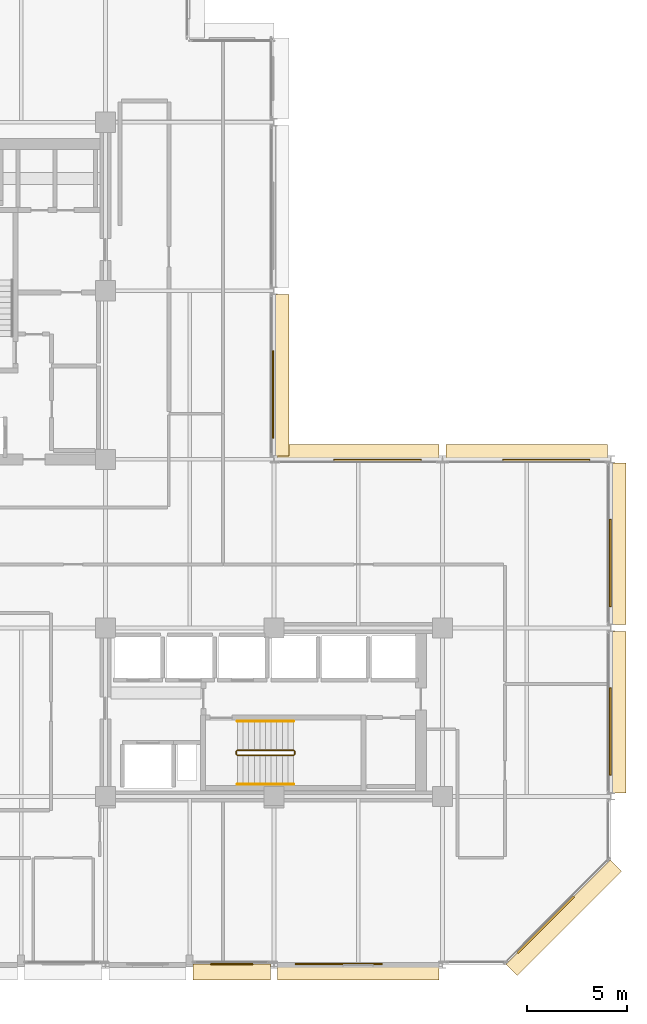
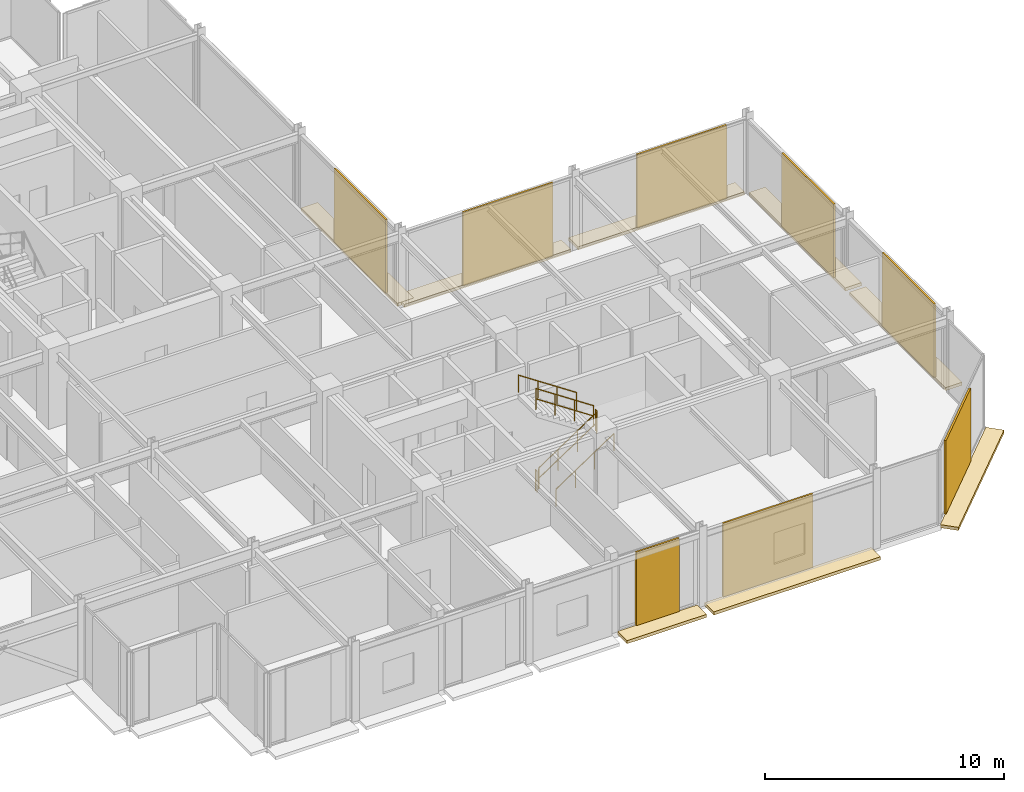
# One storey, part 29 of 30: 16 coverings, 6 railings.
"""IFC4 building model written with IfcOpenShell, lengths in metres."""

from ifc_helpers import new_model, si_unit, direction, frame, origin, origin_2d, place, context, subcontext, project, spatial, polyline, rectangle, circle, outline, extrude, material, layer, layer_set, type_object, element, save


model = new_model("IFC4")

# Units and contexts
model_context = context("Model", 3, precision=1e-05, world=origin(), true_north=direction((0.0, 1.0)))
body_context = subcontext(model_context, "Body", "Model", "MODEL_VIEW")
ifc_project = project(units=[si_unit("LENGTHUNIT", "METRE"), si_unit("AREAUNIT", "SQUARE_METRE"), si_unit("VOLUMEUNIT", "CUBIC_METRE"), si_unit("PLANEANGLEUNIT", "RADIAN"), si_unit("MASSUNIT", "GRAM", prefix="KILO")], contexts=[model_context])

# Site, building, storey
site_placement = place(None, origin())
site = spatial("IfcSite", under=ifc_project, at=site_placement, CompositionType="ELEMENT")
building_placement = place(site_placement, origin())
building = spatial("IfcBuilding", under=site, at=building_placement, Name="Nerrivon Quay Data Exchange", CompositionType="ELEMENT")
storey_placement = place(building_placement, frame((0.0, 0.0, 216.5)))
storey = spatial("IfcBuildingStorey", under=building, at=storey_placement, Name="L51", CompositionType="ELEMENT", Elevation=216.5)

# Coverings
ifc_material_1 = material(Name="Architectural terracotta ceramic", Category="masonry")
ifc_layer_1 = layer(ifc_material_1, 0.159912109375)
ifc_layer_set_1 = layer_set([ifc_layer_1], Name="Architectural terracotta ceramic")
covering_type_1 = type_object("IfcCoveringType", Name="COV-BLD-TERR", PredefinedType="CLADDING", material=ifc_layer_set_1)
covering_1_placement = place(storey_placement, frame((0.0, 0.0, -0.159912109375)))
element("IfcCovering", 1, at=covering_1_placement, inside=storey, type_object=covering_type_1, Name="L51 Horizontal Terracotta SOLAR SCREEN Blade", PredefinedType="CLADDING", context=body_context, shape_type="SweptSolid", body=[
    extrude(outline(polyline([(25.159912109375, 33.425048828125), (25.159912109375, 25.375), (25.949951171875, 25.375), (25.949951171875, 33.425048828125), (25.159912109375, 33.425048828125)])), origin(), (0.0, 0.0, 1.0), 0.159912109375),
])
covering_2_placement = place(storey_placement, frame((0.0, 0.0, -0.159912109375)))
element("IfcCovering", 2, at=covering_2_placement, inside=storey, type_object=covering_type_1, Name="L51 Horizontal Terracotta SOLAR SCREEN Blade", PredefinedType="CLADDING", context=body_context, shape_type="SweptSolid", body=[
    extrude(outline(polyline([(25.375, 25.159912109375), (33.425048828125, 25.159912109375), (33.425048828125, 25.949951171875), (25.375, 25.949951171875), (25.375, 25.159912109375)])), origin(), (0.0, 0.0, 1.0), 0.159912109375),
])
covering_3_placement = place(storey_placement, frame((0.0, 0.0, -0.159912109375)))
element("IfcCovering", 3, at=covering_3_placement, inside=storey, type_object=covering_type_1, Name="L51 Horizontal Terracotta SOLAR SCREEN Blade", PredefinedType="CLADDING", context=body_context, shape_type="SweptSolid", body=[
    extrude(outline(polyline([(33.77490234375, 25.159912109375), (41.824951171875, 25.159912109375), (41.824951171875, 25.949951171875), (33.77490234375, 25.949951171875), (33.77490234375, 25.159912109375)])), origin(), (0.0, 0.0, 1.0), 0.159912109375),
])
covering_4_placement = place(storey_placement, frame((0.0, 0.0, -0.159912109375)))
element("IfcCovering", 4, at=covering_4_placement, inside=storey, type_object=covering_type_1, Name="L51 Horizontal Terracotta SOLAR SCREEN Blade", PredefinedType="CLADDING", context=body_context, shape_type="SweptSolid", body=[
    extrude(outline(polyline([(41.9599609375, 25.02490234375), (41.9599609375, 16.97509765625), (42.75, 16.97509765625), (42.75, 25.02490234375), (41.9599609375, 25.02490234375)])), origin(), (0.0, 0.0, 1.0), 0.159912109375),
])
covering_5_placement = place(storey_placement, frame((0.0, 0.0, -0.159912109375)))
element("IfcCovering", 5, at=covering_5_placement, inside=storey, type_object=covering_type_1, Name="L51 Horizontal Terracotta SOLAR SCREEN Blade", PredefinedType="CLADDING", context=body_context, shape_type="SweptSolid", body=[
    extrude(outline(polyline([(41.9599609375, 16.625), (41.9599609375, 8.574951171875), (42.75, 8.574951171875), (42.75, 16.625), (41.9599609375, 16.625)])), origin(), (0.0, 0.0, 1.0), 0.159912109375),
])
covering_6_placement = place(storey_placement, frame((0.0, 0.0, -0.159912109375)))
element("IfcCovering", 6, at=covering_6_placement, inside=storey, type_object=covering_type_1, Name="L51 Horizontal Terracotta SOLAR SCREEN Blade", PredefinedType="CLADDING", context=body_context, shape_type="SweptSolid", body=[
    extrude(outline(polyline([(41.9716796875, 5.228271484375), (36.771728515625, 0.0283203125), (37.330322265625, -0.5302734375), (42.5302734375, 4.669677734375), (41.9716796875, 5.228271484375)])), origin(), (0.0, 0.0, 1.0), 0.159912109375),
])
covering_7_placement = place(storey_placement, frame((0.0, 0.0, -0.159912109375)))
element("IfcCovering", 7, at=covering_7_placement, inside=storey, type_object=covering_type_1, Name="L51 Horizontal Terracotta SOLAR SCREEN Blade", PredefinedType="CLADDING", context=body_context, shape_type="SweptSolid", body=[
    extrude(outline(polyline([(33.425048828125, 0.0400390625), (25.375, 0.0400390625), (25.375, -0.75), (33.425048828125, -0.75), (33.425048828125, 0.0400390625)])), origin(), (0.0, 0.0, 1.0), 0.159912109375),
])
covering_8_placement = place(storey_placement, frame((0.0, 0.0, -0.159912109375)))
element("IfcCovering", 8, at=covering_8_placement, inside=storey, type_object=covering_type_1, Name="L51 Horizontal Terracotta SOLAR SCREEN Blade", PredefinedType="CLADDING", context=body_context, shape_type="SweptSolid", body=[
    extrude(outline(polyline([(25.02490234375, 0.0400390625), (21.175048828125, 0.0400390625), (21.175048828125, -0.75), (25.02490234375, -0.75), (25.02490234375, 0.0400390625)])), origin(), (0.0, 0.0, 1.0), 0.159912109375),
])
ifc_layer_2 = layer(ifc_material_1, 0.090087890625)
ifc_layer_set_2 = layer_set([ifc_layer_2], Name="Architectural terracotta ceramic")
covering_type_2 = type_object("IfcCoveringType", Name="COV-SCR-TERR", PredefinedType="CLADDING", material=ifc_layer_set_2)
for number, where, z_axis, x_axis, name in (
    (9, (25.155029296875, 28.43408203125, 0.0), (0.0, 0.0, 1.0), (0.0, -1.0, 0.0), "L51 Perforated Terracotta SOLAR SCREEN Cassette"),
    (10, (30.365966796875, 25.155029296875, 0.0), (0.0, 0.0, 1.0), (1.0, 0.0, 0.0), "L51 Perforated Terracotta SOLAR SCREEN Cassette"),
    (11, (38.76611328125, 25.155029296875, 0.0), (0.0, 0.0, 1.0), (1.0, 0.0, 0.0), "L51 Perforated Terracotta SOLAR SCREEN Cassette"),
    (12, (41.955078125, 20.033935546875, 0.0), (0.0, 0.0, 1.0), (0.0, -1.0, 0.0), "L51 Perforated Terracotta SOLAR SCREEN Cassette"),
    (13, (41.955078125, 11.634033203125, 0.0), (0.0, 0.0, 1.0), (0.0, -1.0, 0.0), "L51 Perforated Terracotta SOLAR SCREEN Cassette"),
):
    element("IfcCovering", number, at=place(storey_placement, frame(where, z_axis=z_axis, x_axis=x_axis)), inside=storey, type_object=covering_type_2, Name=name, PredefinedType="CLADDING", context=body_context, shape_type="SweptSolid", body=[
        extrude(rectangle(XDim=4.346923828125, YDim=0.090087890625, at=origin_2d()), origin(), (0.0, 0.0, 1.0), 3.75),
    ])
covering_9_placement = place(storey_placement, frame((38.744140625, 2.0078125, 0.0), z_axis=(0.0, 0.0, 1.0), x_axis=(-0.707106781187, -0.707106781187, 0.0)))
element("IfcCovering", 14, at=covering_9_placement, inside=storey, type_object=covering_type_2, Name="L51 Perforated Terracotta SOLAR SCREEN Cassette", PredefinedType="CLADDING", context=body_context, shape_type="SweptSolid", body=[
    extrude(rectangle(XDim=3.970947265625, YDim=0.090087890625, at=origin_2d()), origin(), (0.0, 0.0, 1.0), 3.75),
])
covering_10_placement = place(storey_placement, frame((28.43408203125, 0.044921875, 0.0), z_axis=(0.0, 0.0, 1.0), x_axis=(-1.0, 0.0, 0.0)))
element("IfcCovering", 15, at=covering_10_placement, inside=storey, type_object=covering_type_2, Name="L51 Perforated Terracotta SOLAR SCREEN Cassette", PredefinedType="CLADDING", context=body_context, shape_type="SweptSolid", body=[
    extrude(rectangle(XDim=4.346923828125, YDim=0.090087890625, at=origin_2d()), origin(), (0.0, 0.0, 1.0), 3.75),
])
covering_11_placement = place(storey_placement, frame((23.10009765625, 0.044921875, 0.0), z_axis=(0.0, 0.0, 1.0), x_axis=(-1.0, 0.0, 0.0)))
element("IfcCovering", 16, at=covering_11_placement, inside=storey, type_object=covering_type_2, Name="L51 Perforated Terracotta SOLAR SCREEN Cassette", PredefinedType="CLADDING", context=body_context, shape_type="SweptSolid", body=[
    extrude(rectangle(XDim=2.0791015625, YDim=0.090087890625, at=origin_2d()), origin(), (0.0, 0.0, 1.0), 3.75),
])

# Railings
ifc_material_2 = material(Name="Steel Grade C350L0 (350 MPa)", Category="steel")
railing_type_1 = type_object("IfcRailingType", Name="RAIL-HAND-HR1", PredefinedType="HANDRAIL", material=ifc_material_2)
railing_1_placement = place(storey_placement, frame((23.3798828125, 9.0, 0.186279296875)))
element("IfcRailing", 17, at=railing_1_placement, inside=storey, type_object=railing_type_1, Name="L51 ST02 stair handrail 1", PredefinedType="HANDRAIL", context=body_context, shape_type="SweptSolid", body=[
    extrude(circle(Radius=0.02392578125, at=origin_2d()), frame((0.0, 0.0, 0.8759765625), z_axis=(0.832452072856, 0.0, 0.554097055034), x_axis=(0.0, 1.0, 0.0)), (0.0, 0.0, 1.0), 3.363525390625),
    extrude(circle(Radius=0.02099609375, at=origin_2d()), origin(), (0.0, 0.0, 1.0), 0.851806640625),
    extrude(circle(Radius=0.02099609375, at=origin_2d()), frame((0.933349609375, 0.0, 0.621337890625)), (0.0, 0.0, 1.0), 0.851806640625),
    extrude(circle(Radius=0.02099609375, at=origin_2d()), frame((1.86669921875, 0.0, 1.242431640625)), (0.0, 0.0, 1.0), 0.851806640625),
    extrude(circle(Radius=0.02099609375, at=origin_2d()), frame((2.800048828125, 0.0, 1.86376953125)), (0.0, 0.0, 1.0), 0.851806640625),
])
railing_2_placement = place(storey_placement, frame((26.179931640625, 12.14990234375, 2.236328125)))
element("IfcRailing", 18, at=railing_2_placement, inside=storey, type_object=railing_type_1, Name="L51 ST02 stair handrail 2", PredefinedType="HANDRAIL", context=body_context, shape_type="SweptSolid", body=[
    extrude(circle(Radius=0.02392578125, at=origin_2d()), frame((0.0, 0.0, 0.8759765625), z_axis=(-0.832452072856, 0.0, 0.554097055034), x_axis=(0.0, -1.0, 0.0)), (0.0, 0.0, 1.0), 3.363525390625),
    extrude(circle(Radius=0.02099609375, at=origin_2d()), origin(), (0.0, 0.0, 1.0), 0.851806640625),
    extrude(circle(Radius=0.02099609375, at=origin_2d()), frame((-0.933349609375, 0.0, 0.621337890625)), (0.0, 0.0, 1.0), 0.851806640625),
    extrude(circle(Radius=0.02099609375, at=origin_2d()), frame((-1.86669921875, 0.0, 1.242431640625)), (0.0, 0.0, 1.0), 0.851806640625),
    extrude(circle(Radius=0.02099609375, at=origin_2d()), frame((-2.800048828125, 0.0, 1.86376953125)), (0.0, 0.0, 1.0), 0.851806640625),
])
railing_type_2 = type_object("IfcRailingType", Name="RAIL-STAIR-GR1", PredefinedType="BALUSTRADE", material=ifc_material_2)
railing_3_placement = place(storey_placement, frame((23.3798828125, 10.449951171875, 0.186279296875)))
element("IfcRailing", 19, at=railing_3_placement, inside=storey, type_object=railing_type_2, Name="L51 ST02 stair guard 1", PredefinedType="BALUSTRADE", context=body_context, shape_type="SweptSolid", body=[
    extrude(circle(Radius=0.02392578125, at=origin_2d()), frame((0.0, 0.0, 1.076171875), z_axis=(0.832452072856, 0.0, 0.554097055034), x_axis=(0.0, 1.0, 0.0)), (0.0, 0.0, 1.0), 3.363525390625),
    extrude(circle(Radius=0.02392578125, at=origin_2d()), frame((0.0, 0.0, 0.550048828125), z_axis=(0.832452072856, 0.0, 0.554097055034), x_axis=(0.0, 1.0, 0.0)), (0.0, 0.0, 1.0), 3.363525390625),
    extrude(circle(Radius=0.02099609375, at=origin_2d()), origin(), (0.0, 0.0, 1.0), 1.052001953125),
    extrude(circle(Radius=0.02099609375, at=origin_2d()), frame((0.933349609375, 0.0, 0.621337890625)), (0.0, 0.0, 1.0), 1.052001953125),
    extrude(circle(Radius=0.02099609375, at=origin_2d()), frame((1.86669921875, 0.0, 1.242431640625)), (0.0, 0.0, 1.0), 1.052001953125),
    extrude(circle(Radius=0.02099609375, at=origin_2d()), frame((2.800048828125, 0.0, 1.86376953125)), (0.0, 0.0, 1.0), 1.052001953125),
])
railing_4_placement = place(storey_placement, frame((26.22998046875, 10.5, 2.050048828125)))
element("IfcRailing", 20, at=railing_4_placement, inside=storey, type_object=railing_type_2, Name="L51 ST02 stair guard 2", PredefinedType="BALUSTRADE", context=body_context, shape_type="SweptSolid", body=[
    extrude(circle(Radius=0.02392578125, at=origin_2d()), frame((0.0, 0.0, 1.076171875), z_axis=(0.0, 1.0, 0.0), x_axis=(-1.0, 0.0, 0.0)), (0.0, 0.0, 1.0), 0.14990234375),
    extrude(circle(Radius=0.02392578125, at=origin_2d()), frame((0.0, 0.0, 0.550048828125), z_axis=(0.0, 1.0, 0.0), x_axis=(-1.0, 0.0, 0.0)), (0.0, 0.0, 1.0), 0.14990234375),
    extrude(circle(Radius=0.02099609375, at=origin_2d()), origin(), (0.0, 0.0, 1.0), 1.052001953125),
    extrude(circle(Radius=0.02099609375, at=origin_2d()), frame((0.0, 0.14990234375, 0.0)), (0.0, 0.0, 1.0), 1.052001953125),
])
railing_5_placement = place(storey_placement, frame((26.179931640625, 10.699951171875, 2.236328125)))
element("IfcRailing", 21, at=railing_5_placement, inside=storey, type_object=railing_type_2, Name="L51 ST02 stair guard 3", PredefinedType="BALUSTRADE", context=body_context, shape_type="SweptSolid", body=[
    extrude(circle(Radius=0.02392578125, at=origin_2d()), frame((0.0, 0.0, 1.076171875), z_axis=(-0.832452072856, 0.0, 0.554097055034), x_axis=(0.0, -1.0, 0.0)), (0.0, 0.0, 1.0), 3.363525390625),
    extrude(circle(Radius=0.02392578125, at=origin_2d()), frame((0.0, 0.0, 0.550048828125), z_axis=(-0.832452072856, 0.0, 0.554097055034), x_axis=(0.0, -1.0, 0.0)), (0.0, 0.0, 1.0), 3.363525390625),
    extrude(circle(Radius=0.02099609375, at=origin_2d()), origin(), (0.0, 0.0, 1.0), 1.052001953125),
    extrude(circle(Radius=0.02099609375, at=origin_2d()), frame((-0.933349609375, 0.0, 0.621337890625)), (0.0, 0.0, 1.0), 1.052001953125),
    extrude(circle(Radius=0.02099609375, at=origin_2d()), frame((-1.86669921875, 0.0, 1.242431640625)), (0.0, 0.0, 1.0), 1.052001953125),
    extrude(circle(Radius=0.02099609375, at=origin_2d()), frame((-2.800048828125, 0.0, 1.86376953125)), (0.0, 0.0, 1.0), 1.052001953125),
])
railing_6_placement = place(storey_placement, frame((23.330078125, 10.5, 0.0)))
element("IfcRailing", 22, at=railing_6_placement, inside=storey, type_object=railing_type_2, Name="L51 ST02 stair guard 4", PredefinedType="BALUSTRADE", context=body_context, shape_type="SweptSolid", body=[
    extrude(circle(Radius=0.02392578125, at=origin_2d()), frame((0.0, 0.0, 1.076171875), z_axis=(0.0, 1.0, 0.0), x_axis=(-1.0, 0.0, 0.0)), (0.0, 0.0, 1.0), 0.14990234375),
    extrude(circle(Radius=0.02392578125, at=origin_2d()), frame((0.0, 0.0, 0.550048828125), z_axis=(0.0, 1.0, 0.0), x_axis=(-1.0, 0.0, 0.0)), (0.0, 0.0, 1.0), 0.14990234375),
    extrude(circle(Radius=0.02099609375, at=origin_2d()), origin(), (0.0, 0.0, 1.0), 1.052001953125),
    extrude(circle(Radius=0.02099609375, at=origin_2d()), frame((0.0, 0.14990234375, 0.0)), (0.0, 0.0, 1.0), 1.052001953125),
])

save(model, "model.ifc")
